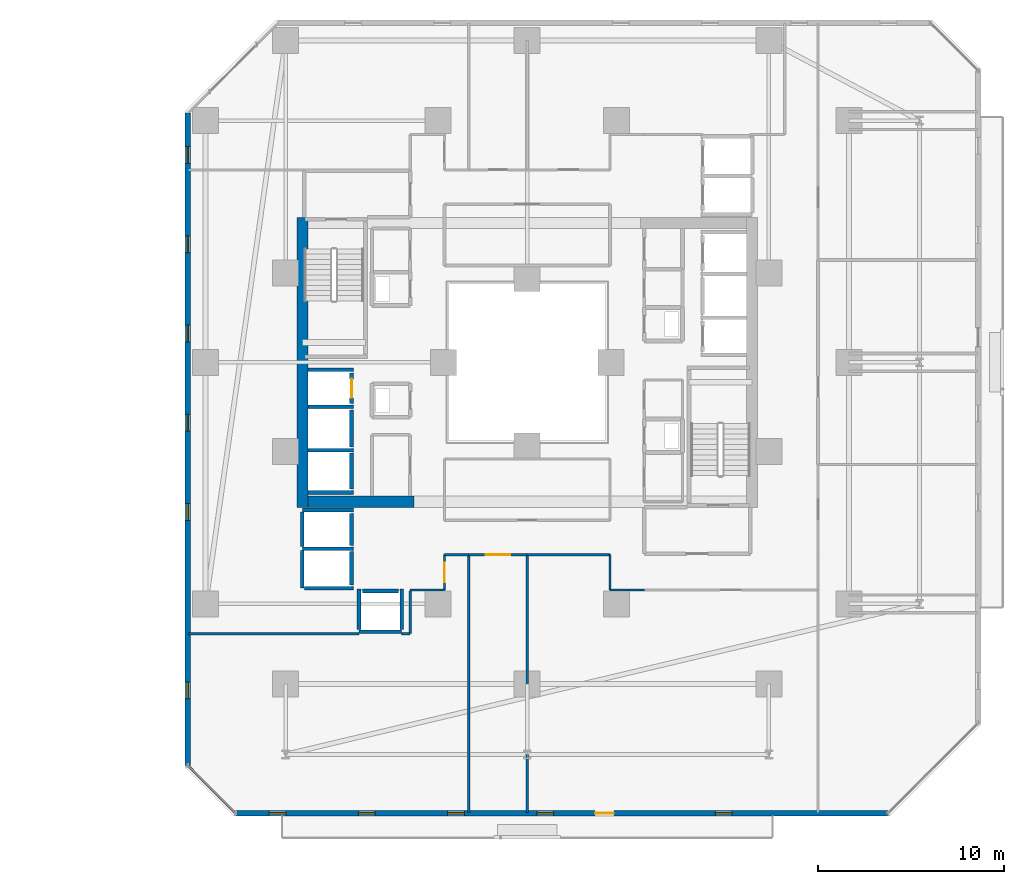
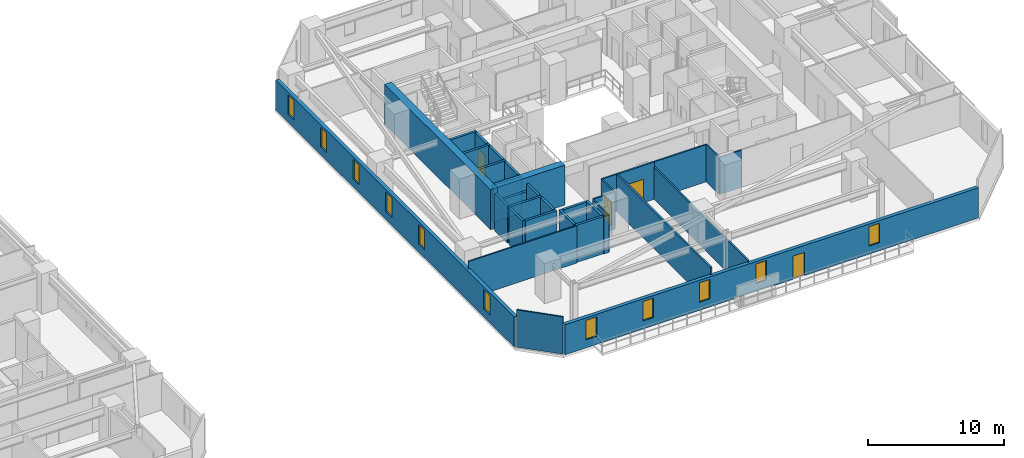
# One storey, part 22 of 33: 35 walls, 11 windows, 4 doors, 15 openings.
"""IFC4 building model written with IfcOpenShell, lengths in metres."""

from ifc_helpers import new_model, si_unit, direction, frame, frame_2d, origin, place, context, subcontext, project, spatial, rectangle, extrude, material, layer, layer_set, type_object, element, fill, save


model = new_model("IFC4")

# Units and contexts
model_context = context("Model", 3, precision=1e-05, world=origin(), true_north=direction((0.0, 1.0)))
body_context = subcontext(model_context, "Body", "Model", "MODEL_VIEW")
ifc_project = project(units=[si_unit("LENGTHUNIT", "METRE"), si_unit("AREAUNIT", "SQUARE_METRE"), si_unit("VOLUMEUNIT", "CUBIC_METRE"), si_unit("PLANEANGLEUNIT", "RADIAN"), si_unit("MASSUNIT", "GRAM", prefix="KILO")], contexts=[model_context])

# Site, building, storey
site_placement = place(None, origin())
site = spatial("IfcSite", under=ifc_project, at=site_placement, CompositionType="ELEMENT")
building_placement = place(site_placement, origin())
building = spatial("IfcBuilding", under=site, at=building_placement, Name="Thornwick Lancets Civic Towers", CompositionType="ELEMENT")
storey_placement = place(building_placement, frame((0.0, 0.0, 42.300048828125)))
storey = spatial("IfcBuildingStorey", under=building, at=storey_placement, Name="L10", CompositionType="ELEMENT", Elevation=42.300048828125)

# Wall, opening, door
ifc_material_1 = material(Name="Concrete blockwork C40/50", Category="masonry")
ifc_layer_1 = layer(ifc_material_1, 0.199951171875, Name="Concrete blockwork C40/50")
ifc_layer_set_1 = layer_set([ifc_layer_1], Name="Concrete blockwork C40/50")
wall_type_1 = type_object("IfcWallType", Name="WALL_COMP_200", PredefinedType="STANDARD", material=ifc_layer_set_1)
wall_1_placement = place(storey_placement, frame((79.050048828125, 24.780029296875, 0.0), z_axis=(0.0, 0.0, 1.0), x_axis=(0.0, 1.0, 0.0)))
wall_1 = element("IfcWall", 1, at=wall_1_placement, inside=storey, type_object=wall_type_1, Name="L10 Hoistway Front Wall FL-B2", PredefinedType="STANDARD", context=body_context, shape_type="SweptSolid", body=[
    extrude(rectangle(XDim=1.639892578125, YDim=0.199951171875, at=frame_2d((0.81982421875, 0.0))), origin(), (0.0, 0.0, 1.0), 3.33984375),
])
opening_1_placement = place(wall_1_placement, frame((0.31005859375, 0.0, 0.0)))
opening_1 = element("IfcOpeningElement", 2, at=opening_1_placement, cuts=wall_1, Name="Opening LD-FL-B2", PredefinedType="OPENING", context=body_context, shape_type="SweptSolid", body=[
    extrude(rectangle(XDim=1.02001953125, YDim=2.06005859375, at=frame_2d((0.510009765625, 1.030029296875))), frame((0.0, 0.10986328125, 0.0), z_axis=(0.0, -1.0, 0.0), x_axis=(1.0, 0.0, 0.0)), (0.0, 0.0, 1.0), 0.219970703125),
])
ifc_material_2 = material(Name="Brushed bronze stainless steel", Category="steel")
door_type_1 = type_object("IfcDoorType", Name="DOOR_LIFT_SLIDE", OperationType="SLIDING_TO_LEFT", PredefinedType="DOOR", material=ifc_material_2)
door_1_placement = place(opening_1_placement, origin())
door_1 = element("IfcDoor", 3, at=door_1_placement, inside=storey, type_object=door_type_1, Name="L10 Sliding Lift Landing Door LD-FL-B2", OperationType="SLIDING_TO_LEFT", OverallHeight=2.06005859375, OverallWidth=1.02001953125, PredefinedType="DOOR", context=body_context, shape_type="SweptSolid", body=[
    extrude(rectangle(XDim=1.02001953125, YDim=2.06005859375, at=frame_2d((0.510009765625, 1.030029296875))), frame((0.0, 0.02490234375, 0.0), z_axis=(0.0, -1.0, 0.0), x_axis=(1.0, 0.0, 0.0)), (0.0, 0.0, 1.0), 0.050048828125),
])
fill(opening_1, door_1)

# Walls
wall_2_placement = place(storey_placement, frame((79.050048828125, 22.429931640625, 0.0), z_axis=(0.0, 0.0, 1.0), x_axis=(0.0, 1.0, 0.0)))
element("IfcWall", 4, at=wall_2_placement, inside=storey, type_object=wall_type_1, Name="L10 Hoistway Front Wall PL-BH2", PredefinedType="STANDARD", context=body_context, shape_type="SweptSolid", body=[
    extrude(rectangle(XDim=1.989990234375, YDim=0.199951171875, at=frame_2d((0.9951171875, 0.0))), origin(), (0.0, 0.0, 1.0), 3.33984375),
])
wall_3_placement = place(storey_placement, frame((79.050048828125, 20.179931640625, 0.0), z_axis=(0.0, 0.0, 1.0), x_axis=(0.0, 1.0, 0.0)))
element("IfcWall", 5, at=wall_3_placement, inside=storey, type_object=wall_type_1, Name="L10 Hoistway Front Wall PL-BH3", PredefinedType="STANDARD", context=body_context, shape_type="SweptSolid", body=[
    extrude(rectangle(XDim=1.940185546875, YDim=0.199951171875, at=frame_2d((0.97021484375, 0.0))), origin(), (0.0, 0.0, 1.0), 3.33984375),
])
wall_4_placement = place(storey_placement, frame((79.050048828125, 17.1298828125, 0.0), z_axis=(0.0, 0.0, 1.0), x_axis=(0.0, 1.0, 0.0)))
element("IfcWall", 6, at=wall_4_placement, inside=storey, type_object=wall_type_1, Name="L10 Hoistway Front Wall PL-BM1", PredefinedType="STANDARD", context=body_context, shape_type="SweptSolid", body=[
    extrude(rectangle(XDim=1.740234375, YDim=0.199951171875, at=frame_2d((0.8701171875, 0.0))), origin(), (0.0, 0.0, 1.0), 3.33984375),
])
wall_5_placement = place(storey_placement, frame((79.050048828125, 15.030029296875, 0.0), z_axis=(0.0, 0.0, 1.0), x_axis=(0.0, 1.0, 0.0)))
element("IfcWall", 7, at=wall_5_placement, inside=storey, type_object=wall_type_1, Name="L10 Hoistway Front Wall PL-BM2", PredefinedType="STANDARD", context=body_context, shape_type="SweptSolid", body=[
    extrude(rectangle(XDim=1.7900390625, YDim=0.199951171875, at=frame_2d((0.89501953125, 0.0))), origin(), (0.0, 0.0, 1.0), 3.33984375),
])
wall_6_placement = place(storey_placement, frame((79.6298828125, 14.699951171875, 0.0), z_axis=(0.0, 0.0, 1.0), x_axis=(1.0, 0.0, 0.0)))
element("IfcWall", 8, at=wall_6_placement, inside=storey, type_object=wall_type_1, Name="L10 Hoistway Front Wall PL-BM3", PredefinedType="STANDARD", context=body_context, shape_type="SweptSolid", body=[
    extrude(rectangle(XDim=1.940185546875, YDim=0.199951171875, at=frame_2d((0.97021484375, 0.0))), origin(), (0.0, 0.0, 1.0), 3.33984375),
])
for number, where, z_axis, x_axis, name in (
    (9, (76.7119140625, 26.60009765625, 0.0), (0.0, 0.0, 1.0), (1.0, 0.0, 0.0), "L10 Hoistway Shaft Wall FL-B2 N"),
    (10, (76.7119140625, 24.60009765625, 0.0), (0.0, 0.0, 1.0), (1.0, 0.0, 0.0), "L10 Hoistway Shaft Wall FL-B2 S"),
    (11, (76.7119140625, 22.27490234375, 0.0), (0.0, 0.0, 1.0), (1.0, 0.0, 0.0), "L10 Hoistway Shaft Wall PL-BH2 S"),
    (12, (76.7119140625, 20.0, 0.0), (0.0, 0.0, 1.0), (1.0, 0.0, 0.0), "L10 Hoistway Shaft Wall PL-BH3 S"),
):
    element("IfcWall", number, at=place(storey_placement, frame(where, z_axis=z_axis, x_axis=x_axis)), inside=storey, type_object=wall_type_1, Name=name, PredefinedType="STANDARD", context=body_context, shape_type="SweptSolid", body=[
        extrude(rectangle(XDim=2.43603515625, YDim=0.199951171875, at=frame_2d((1.218017578125, 0.0))), origin(), (0.0, 0.0, 1.0), 3.33984375),
    ])
wall_7_placement = place(storey_placement, frame((76.402099609375, 19.050048828125, 0.0), z_axis=(0.0, 0.0, 1.0), x_axis=(1.0, 0.0, 0.0)))
element("IfcWall", 13, at=wall_7_placement, inside=storey, type_object=wall_type_1, Name="L10 Hoistway Shaft Wall PL-BM1 N", PredefinedType="STANDARD", context=body_context, shape_type="SweptSolid", body=[
    extrude(rectangle(XDim=2.745849609375, YDim=0.199951171875, at=frame_2d((1.373046875, 0.0))), origin(), (0.0, 0.0, 1.0), 2.544921875),
])
wall_8_placement = place(storey_placement, frame((76.402099609375, 16.97509765625, 0.0), z_axis=(0.0, 0.0, 1.0), x_axis=(1.0, 0.0, 0.0)))
element("IfcWall", 14, at=wall_8_placement, inside=storey, type_object=wall_type_1, Name="L10 Hoistway Shaft Wall PL-BM1 S", PredefinedType="STANDARD", context=body_context, shape_type="SweptSolid", body=[
    extrude(rectangle(XDim=2.745849609375, YDim=0.199951171875, at=frame_2d((1.373046875, 0.0))), origin(), (0.0, 0.0, 1.0), 3.33984375),
])
wall_9_placement = place(storey_placement, frame((76.39990234375, 14.85205078125, 0.0), z_axis=(0.0, 0.0, 1.0), x_axis=(0.0, 1.0, 0.0)))
element("IfcWall", 15, at=wall_9_placement, inside=storey, type_object=wall_type_1, Name="L10 Hoistway Shaft Wall PL-BM1 W", PredefinedType="STANDARD", context=body_context, shape_type="SweptSolid", body=[
    extrude(rectangle(XDim=2.015869140625, YDim=0.199951171875, at=frame_2d((1.0078125, 0.0))), origin(), (0.0, 0.0, 1.0), 3.33984375),
])
wall_10_placement = place(storey_placement, frame((76.39990234375, 17.08203125, 0.0), z_axis=(0.0, 0.0, 1.0), x_axis=(0.0, 1.0, 0.0)))
element("IfcWall", 16, at=wall_10_placement, inside=storey, type_object=wall_type_1, Name="L10 Hoistway Shaft Wall PL-BM1 W", PredefinedType="STANDARD", context=body_context, shape_type="SweptSolid", body=[
    extrude(rectangle(XDim=1.85595703125, YDim=0.199951171875, at=frame_2d((0.927978515625, 0.0))), origin(), (0.0, 0.0, 1.0), 3.33984375),
])
wall_11_placement = place(storey_placement, frame((76.511962890625, 14.85009765625, 0.0), z_axis=(0.0, 0.0, 1.0), x_axis=(1.0, 0.0, 0.0)))
element("IfcWall", 17, at=wall_11_placement, inside=storey, type_object=wall_type_1, Name="L10 Hoistway Shaft Wall PL-BM2 S", PredefinedType="STANDARD", context=body_context, shape_type="SweptSolid", body=[
    extrude(rectangle(XDim=2.635986328125, YDim=0.199951171875, at=frame_2d((1.31787109375, 0.0))), origin(), (0.0, 0.0, 1.0), 3.33984375),
])
wall_12_placement = place(storey_placement, frame((79.451904296875, 12.5, 0.0), z_axis=(0.0, 0.0, 1.0), x_axis=(1.0, 0.0, 0.0)))
element("IfcWall", 18, at=wall_12_placement, inside=storey, type_object=wall_type_1, Name="L10 Hoistway Shaft Wall PL-BM3 S", PredefinedType="STANDARD", context=body_context, shape_type="SweptSolid", body=[
    extrude(rectangle(XDim=2.296142578125, YDim=0.199951171875, at=frame_2d((1.14794921875, 0.0))), origin(), (0.0, 0.0, 1.0), 3.33984375),
])
for number, where, z_axis, x_axis, name in (
    (19, (81.75, 12.612060546875, 0.0), (0.0, 0.0, 1.0), (0.0, 1.0, 0.0), "L10 Hoistway Shaft Wall PL-BM3 E"),
    (20, (79.449951171875, 12.612060546875, 0.0), (0.0, 0.0, 1.0), (0.0, 1.0, 0.0), "L10 Hoistway Shaft Wall PL-BM3 W"),
):
    element("IfcWall", number, at=place(storey_placement, frame(where, z_axis=z_axis, x_axis=x_axis)), inside=storey, type_object=wall_type_1, Name=name, PredefinedType="STANDARD", context=body_context, shape_type="SweptSolid", body=[
        extrude(rectangle(XDim=2.18603515625, YDim=0.199951171875, at=frame_2d((1.093017578125, 0.0))), origin(), (0.0, 0.0, 1.0), 3.33984375),
    ])
ifc_material_3 = material(Name="Concrete C60/75", Category="concrete")
ifc_layer_2 = layer(ifc_material_3, 0.60009765625, Name="Concrete C60/75")
ifc_layer_set_2 = layer_set([ifc_layer_2], Name="Concrete C60/75")
wall_type_2 = type_object("IfcWallType", Name="WALL_CORE_600", PredefinedType="SHEAR", material=ifc_layer_set_2)
wall_13_placement = place(storey_placement, frame((76.39990234375, 19.199951171875, 0.0), z_axis=(0.0, 0.0, 1.0), x_axis=(0.0, 1.0, 0.0)))
element("IfcWall", 21, at=wall_13_placement, inside=storey, type_object=wall_type_2, Name="L10 Split Core B2 Shear Wall W", PredefinedType="SHEAR", context=body_context, shape_type="SweptSolid", body=[
    extrude(rectangle(XDim=15.60009765625, YDim=0.60009765625, at=frame_2d((7.800048828125, 0.0))), origin(), (0.0, 0.0, 1.0), 3.599853515625),
])
wall_14_placement = place(storey_placement, frame((76.699951171875, 19.5, 0.0), z_axis=(0.0, 0.0, 1.0), x_axis=(1.0, 0.0, 0.0)))
element("IfcWall", 22, at=wall_14_placement, inside=storey, type_object=wall_type_2, Name="L10 Split Core B2 Shear Wall S", PredefinedType="SHEAR", context=body_context, shape_type="SweptSolid", body=[
    extrude(rectangle(XDim=5.699951171875, YDim=0.60009765625, at=frame_2d((2.85009765625, 0.0))), origin(), (0.0, 0.0, 1.0), 3.599853515625),
])

# Wall, openings, door, windows
ifc_material_4 = material(Name="Insulated russet terracotta rainscreen on concrete C40/50", Category="masonry")
ifc_layer_3 = layer(ifc_material_4, 0.300048828125, Name="Insulated russet terracotta rainscreen on concrete C40/50")
ifc_layer_set_3 = layer_set([ifc_layer_3], Name="Insulated russet terracotta rainscreen on concrete C40/50")
wall_type_3 = type_object("IfcWallType", Name="WALL_EXT_RUSSET_300", PredefinedType="STANDARD", material=ifc_layer_set_3)
wall_15_placement = place(storey_placement, frame((72.81884765625, 2.735107421875, 0.0), z_axis=(0.0, 0.0, 1.0), x_axis=(0.999999978205, 0.000208784245, 0.0)))
wall_15 = element("IfcWall", 23, at=wall_15_placement, inside=storey, type_object=wall_type_3, Name="L10 Tower B Terracotta Facade Wall E0", PredefinedType="STANDARD", context=body_context, shape_type="SweptSolid", body=[
    extrude(rectangle(XDim=35.080322265625, YDim=0.300048828125, at=frame_2d((17.5400390625, 0.0))), origin(), (0.0, 0.0, 1.0), 2.699951171875),
])
opening_2_placement = place(wall_15_placement, frame((19.340087890625, 0.0, 0.0)))
opening_2 = element("IfcOpeningElement", 24, at=opening_2_placement, cuts=wall_15, Name="Opening D-BL-L10-BS", PredefinedType="OPENING", context=body_context, shape_type="SweptSolid", body=[
    extrude(rectangle(XDim=1.0, YDim=2.080078125, at=frame_2d((0.5, 1.0400390625))), frame((0.0, 0.16015625, 0.0), z_axis=(0.0, -1.0, 0.0), x_axis=(1.0, 0.0, 0.0)), (0.0, 0.0, 1.0), 0.320068359375),
])
opening_3_placement = place(wall_15_placement, frame((1.800048828125, 0.0, 0.719970703125)))
opening_3 = element("IfcOpeningElement", 25, at=opening_3_placement, cuts=wall_15, Name="Opening WL-01", PredefinedType="OPENING", context=body_context, shape_type="SweptSolid", body=[
    extrude(rectangle(XDim=0.89990234375, YDim=1.75, at=frame_2d((0.449951171875, 0.875))), frame((0.0, 0.16015625, 0.0), z_axis=(0.0, -1.0, 0.0), x_axis=(1.0, 0.0, 0.0)), (0.0, 0.0, 1.0), 0.320068359375),
])
opening_4_placement = place(wall_15_placement, frame((6.60009765625, 0.0, 0.719970703125)))
opening_4 = element("IfcOpeningElement", 26, at=opening_4_placement, cuts=wall_15, Name="Opening WL-01", PredefinedType="OPENING", context=body_context, shape_type="SweptSolid", body=[
    extrude(rectangle(XDim=0.89990234375, YDim=1.75, at=frame_2d((0.449951171875, 0.875))), frame((0.0, 0.16015625, 0.0), z_axis=(0.0, -1.0, 0.0), x_axis=(1.0, 0.0, 0.0)), (0.0, 0.0, 1.0), 0.320068359375),
])
opening_5_placement = place(wall_15_placement, frame((11.39990234375, 0.0, 0.719970703125)))
opening_5 = element("IfcOpeningElement", 27, at=opening_5_placement, cuts=wall_15, Name="Opening WL-01", PredefinedType="OPENING", context=body_context, shape_type="SweptSolid", body=[
    extrude(rectangle(XDim=0.89990234375, YDim=1.75, at=frame_2d((0.449951171875, 0.875))), frame((0.0, 0.16015625, 0.0), z_axis=(0.0, -1.0, 0.0), x_axis=(1.0, 0.0, 0.0)), (0.0, 0.0, 1.0), 0.320068359375),
])
opening_6_placement = place(wall_15_placement, frame((16.199951171875, 0.0, 0.719970703125)))
opening_6 = element("IfcOpeningElement", 28, at=opening_6_placement, cuts=wall_15, Name="Opening WL-01", PredefinedType="OPENING", context=body_context, shape_type="SweptSolid", body=[
    extrude(rectangle(XDim=0.89990234375, YDim=1.75, at=frame_2d((0.449951171875, 0.875))), frame((0.0, 0.16015625, 0.0), z_axis=(0.0, -1.0, 0.0), x_axis=(1.0, 0.0, 0.0)), (0.0, 0.0, 1.0), 0.320068359375),
])
opening_7_placement = place(wall_15_placement, frame((25.800048828125, 0.0, 0.719970703125)))
opening_7 = element("IfcOpeningElement", 29, at=opening_7_placement, cuts=wall_15, Name="Opening WL-01", PredefinedType="OPENING", context=body_context, shape_type="SweptSolid", body=[
    extrude(rectangle(XDim=0.89990234375, YDim=1.75, at=frame_2d((0.449951171875, 0.875))), frame((0.0, 0.16015625, 0.0), z_axis=(0.0, -1.0, 0.0), x_axis=(1.0, 0.0, 0.0)), (0.0, 0.0, 1.0), 0.320068359375),
])
ifc_material_5 = material(Name="Thermally broken glazed loggia doorset")
door_type_2 = type_object("IfcDoorType", Name="DOOR_BALC_1000", OperationType="NOTDEFINED", PredefinedType="DOOR", material=ifc_material_5)
door_2_placement = place(opening_2_placement, origin())
door_2 = element("IfcDoor", 30, at=door_2_placement, inside=storey, type_object=door_type_2, Name="L10 Tower B Loggia Balcony Door S", OperationType="SINGLE_SWING_LEFT", OverallHeight=2.080078125, OverallWidth=1.0, PredefinedType="DOOR", context=body_context, shape_type="SweptSolid", body=[
    extrude(rectangle(XDim=1.0, YDim=2.080078125, at=frame_2d((0.5, 1.0400390625))), frame((0.0, 0.02490234375, 0.0), z_axis=(0.0, -1.0, 0.0), x_axis=(1.0, 0.0, 0.0)), (0.0, 0.0, 1.0), 0.050048828125),
])
fill(opening_2, door_2)
ifc_material_6 = material(Name="Clear low-e double glazing in bronze frame", Category="glass")
window_type = type_object("IfcWindowType", Name="WIN_LANCET_900", PartitioningType="SINGLE_PANEL", PredefinedType="WINDOW", material=ifc_material_6)
window_1_placement = place(opening_3_placement, origin())
window_1 = element("IfcWindow", 31, at=window_1_placement, inside=storey, type_object=window_type, Name="L10 Tower B Staggered Lancet Window E0-1", OverallHeight=1.75, OverallWidth=0.89990234375, PartitioningType="SINGLE_PANEL", PredefinedType="WINDOW", context=body_context, shape_type="SweptSolid", body=[
    extrude(rectangle(XDim=0.89990234375, YDim=1.75, at=frame_2d((0.449951171875, 0.875))), frame((0.0, 0.030029296875, 0.0), z_axis=(0.0, -1.0, 0.0), x_axis=(1.0, 0.0, 0.0)), (0.0, 0.0, 1.0), 0.06005859375),
])
fill(opening_3, window_1)
window_2_placement = place(opening_4_placement, origin())
window_2 = element("IfcWindow", 32, at=window_2_placement, inside=storey, type_object=window_type, Name="L10 Tower B Staggered Lancet Window E0-2", OverallHeight=1.75, OverallWidth=0.89990234375, PartitioningType="SINGLE_PANEL", PredefinedType="WINDOW", context=body_context, shape_type="SweptSolid", body=[
    extrude(rectangle(XDim=0.89990234375, YDim=1.75, at=frame_2d((0.449951171875, 0.875))), frame((0.0, 0.030029296875, 0.0), z_axis=(0.0, -1.0, 0.0), x_axis=(1.0, 0.0, 0.0)), (0.0, 0.0, 1.0), 0.06005859375),
])
fill(opening_4, window_2)
window_3_placement = place(opening_5_placement, origin())
window_3 = element("IfcWindow", 33, at=window_3_placement, inside=storey, type_object=window_type, Name="L10 Tower B Staggered Lancet Window E0-3", OverallHeight=1.75, OverallWidth=0.89990234375, PartitioningType="SINGLE_PANEL", PredefinedType="WINDOW", context=body_context, shape_type="SweptSolid", body=[
    extrude(rectangle(XDim=0.89990234375, YDim=1.75, at=frame_2d((0.449951171875, 0.875))), frame((0.0, 0.030029296875, 0.0), z_axis=(0.0, -1.0, 0.0), x_axis=(1.0, 0.0, 0.0)), (0.0, 0.0, 1.0), 0.06005859375),
])
fill(opening_5, window_3)
window_4_placement = place(opening_6_placement, origin())
window_4 = element("IfcWindow", 34, at=window_4_placement, inside=storey, type_object=window_type, Name="L10 Tower B Staggered Lancet Window E0-4", OverallHeight=1.75, OverallWidth=0.89990234375, PartitioningType="SINGLE_PANEL", PredefinedType="WINDOW", context=body_context, shape_type="SweptSolid", body=[
    extrude(rectangle(XDim=0.89990234375, YDim=1.75, at=frame_2d((0.449951171875, 0.875))), frame((0.0, 0.030029296875, 0.0), z_axis=(0.0, -1.0, 0.0), x_axis=(1.0, 0.0, 0.0)), (0.0, 0.0, 1.0), 0.06005859375),
])
fill(opening_6, window_4)
window_5_placement = place(opening_7_placement, origin())
window_5 = element("IfcWindow", 35, at=window_5_placement, inside=storey, type_object=window_type, Name="L10 Tower B Staggered Lancet Window E0-5", OverallHeight=1.75, OverallWidth=0.89990234375, PartitioningType="SINGLE_PANEL", PredefinedType="WINDOW", context=body_context, shape_type="SweptSolid", body=[
    extrude(rectangle(XDim=0.89990234375, YDim=1.75, at=frame_2d((0.449951171875, 0.875))), frame((0.0, 0.030029296875, 0.0), z_axis=(0.0, -1.0, 0.0), x_axis=(1.0, 0.0, 0.0)), (0.0, 0.0, 1.0), 0.06005859375),
])
fill(opening_7, window_5)

# Wall, openings, windows
wall_16_placement = place(storey_placement, frame((70.242431640625, 40.399169921875, 0.0), z_axis=(0.0, 0.0, 1.0), x_axis=(-0.000208784245, -0.999999978205, 0.0)))
wall_16 = element("IfcWall", 36, at=wall_16_placement, inside=storey, type_object=wall_type_3, Name="L10 Tower B Terracotta Facade Wall E6", PredefinedType="STANDARD", context=body_context, shape_type="SweptSolid", body=[
    extrude(rectangle(XDim=35.080322265625, YDim=0.300048828125, at=frame_2d((17.5400390625, 0.0))), origin(), (0.0, 0.0, 1.0), 2.699951171875),
])
opening_8_placement = place(wall_16_placement, frame((1.800048828125, 0.0, 0.719970703125)))
opening_8 = element("IfcOpeningElement", 37, at=opening_8_placement, cuts=wall_16, Name="Opening WL-01", PredefinedType="OPENING", context=body_context, shape_type="SweptSolid", body=[
    extrude(rectangle(XDim=0.89990234375, YDim=1.75, at=frame_2d((0.449951171875, 0.875))), frame((0.0, 0.16015625, 0.0), z_axis=(0.0, -1.0, 0.0), x_axis=(1.0, 0.0, 0.0)), (0.0, 0.0, 1.0), 0.320068359375),
])
opening_9_placement = place(wall_16_placement, frame((6.60009765625, 0.0, 0.719970703125)))
opening_9 = element("IfcOpeningElement", 38, at=opening_9_placement, cuts=wall_16, Name="Opening WL-01", PredefinedType="OPENING", context=body_context, shape_type="SweptSolid", body=[
    extrude(rectangle(XDim=0.89990234375, YDim=1.75, at=frame_2d((0.449951171875, 0.875))), frame((0.0, 0.16015625, 0.0), z_axis=(0.0, -1.0, 0.0), x_axis=(1.0, 0.0, 0.0)), (0.0, 0.0, 1.0), 0.320068359375),
])
opening_10_placement = place(wall_16_placement, frame((11.39990234375, 0.0, 0.719970703125)))
opening_10 = element("IfcOpeningElement", 39, at=opening_10_placement, cuts=wall_16, Name="Opening WL-01", PredefinedType="OPENING", context=body_context, shape_type="SweptSolid", body=[
    extrude(rectangle(XDim=0.89990234375, YDim=1.75, at=frame_2d((0.449951171875, 0.875))), frame((0.0, 0.16015625, 0.0), z_axis=(0.0, -1.0, 0.0), x_axis=(1.0, 0.0, 0.0)), (0.0, 0.0, 1.0), 0.320068359375),
])
opening_11_placement = place(wall_16_placement, frame((16.199951171875, 0.0, 0.719970703125)))
opening_11 = element("IfcOpeningElement", 40, at=opening_11_placement, cuts=wall_16, Name="Opening WL-01", PredefinedType="OPENING", context=body_context, shape_type="SweptSolid", body=[
    extrude(rectangle(XDim=0.89990234375, YDim=1.75, at=frame_2d((0.449951171875, 0.875))), frame((0.0, 0.16015625, 0.0), z_axis=(0.0, -1.0, 0.0), x_axis=(1.0, 0.0, 0.0)), (0.0, 0.0, 1.0), 0.320068359375),
])
opening_12_placement = place(wall_16_placement, frame((21.0, 0.0, 0.719970703125)))
opening_12 = element("IfcOpeningElement", 41, at=opening_12_placement, cuts=wall_16, Name="Opening WL-01", PredefinedType="OPENING", context=body_context, shape_type="SweptSolid", body=[
    extrude(rectangle(XDim=0.89990234375, YDim=1.75, at=frame_2d((0.449951171875, 0.875))), frame((0.0, 0.16015625, 0.0), z_axis=(0.0, -1.0, 0.0), x_axis=(1.0, 0.0, 0.0)), (0.0, 0.0, 1.0), 0.320068359375),
])
opening_13_placement = place(wall_16_placement, frame((30.60009765625, 0.0, 0.719970703125)))
opening_13 = element("IfcOpeningElement", 42, at=opening_13_placement, cuts=wall_16, Name="Opening WL-01", PredefinedType="OPENING", context=body_context, shape_type="SweptSolid", body=[
    extrude(rectangle(XDim=0.89990234375, YDim=1.75, at=frame_2d((0.449951171875, 0.875))), frame((0.0, 0.16015625, 0.0), z_axis=(0.0, -1.0, 0.0), x_axis=(1.0, 0.0, 0.0)), (0.0, 0.0, 1.0), 0.320068359375),
])
window_6_placement = place(opening_8_placement, origin())
window_6 = element("IfcWindow", 43, at=window_6_placement, inside=storey, type_object=window_type, Name="L10 Tower B Staggered Lancet Window E6-1", OverallHeight=1.75, OverallWidth=0.89990234375, PartitioningType="SINGLE_PANEL", PredefinedType="WINDOW", context=body_context, shape_type="SweptSolid", body=[
    extrude(rectangle(XDim=0.89990234375, YDim=1.75, at=frame_2d((0.449951171875, 0.875))), frame((0.0, 0.030029296875, 0.0), z_axis=(0.0, -1.0, 0.0), x_axis=(1.0, 0.0, 0.0)), (0.0, 0.0, 1.0), 0.06005859375),
])
fill(opening_8, window_6)
window_7_placement = place(opening_9_placement, origin())
window_7 = element("IfcWindow", 44, at=window_7_placement, inside=storey, type_object=window_type, Name="L10 Tower B Staggered Lancet Window E6-2", OverallHeight=1.75, OverallWidth=0.89990234375, PartitioningType="SINGLE_PANEL", PredefinedType="WINDOW", context=body_context, shape_type="SweptSolid", body=[
    extrude(rectangle(XDim=0.89990234375, YDim=1.75, at=frame_2d((0.449951171875, 0.875))), frame((0.0, 0.030029296875, 0.0), z_axis=(0.0, -1.0, 0.0), x_axis=(1.0, 0.0, 0.0)), (0.0, 0.0, 1.0), 0.06005859375),
])
fill(opening_9, window_7)
window_8_placement = place(opening_10_placement, origin())
window_8 = element("IfcWindow", 45, at=window_8_placement, inside=storey, type_object=window_type, Name="L10 Tower B Staggered Lancet Window E6-3", OverallHeight=1.75, OverallWidth=0.89990234375, PartitioningType="SINGLE_PANEL", PredefinedType="WINDOW", context=body_context, shape_type="SweptSolid", body=[
    extrude(rectangle(XDim=0.89990234375, YDim=1.75, at=frame_2d((0.449951171875, 0.875))), frame((0.0, 0.030029296875, 0.0), z_axis=(0.0, -1.0, 0.0), x_axis=(1.0, 0.0, 0.0)), (0.0, 0.0, 1.0), 0.06005859375),
])
fill(opening_10, window_8)
window_9_placement = place(opening_11_placement, origin())
window_9 = element("IfcWindow", 46, at=window_9_placement, inside=storey, type_object=window_type, Name="L10 Tower B Staggered Lancet Window E6-4", OverallHeight=1.75, OverallWidth=0.89990234375, PartitioningType="SINGLE_PANEL", PredefinedType="WINDOW", context=body_context, shape_type="SweptSolid", body=[
    extrude(rectangle(XDim=0.89990234375, YDim=1.75, at=frame_2d((0.449951171875, 0.875))), frame((0.0, 0.030029296875, 0.0), z_axis=(0.0, -1.0, 0.0), x_axis=(1.0, 0.0, 0.0)), (0.0, 0.0, 1.0), 0.06005859375),
])
fill(opening_11, window_9)
window_10_placement = place(opening_12_placement, origin())
window_10 = element("IfcWindow", 47, at=window_10_placement, inside=storey, type_object=window_type, Name="L10 Tower B Staggered Lancet Window E6-5", OverallHeight=1.75, OverallWidth=0.89990234375, PartitioningType="SINGLE_PANEL", PredefinedType="WINDOW", context=body_context, shape_type="SweptSolid", body=[
    extrude(rectangle(XDim=0.89990234375, YDim=1.75, at=frame_2d((0.449951171875, 0.875))), frame((0.0, 0.030029296875, 0.0), z_axis=(0.0, -1.0, 0.0), x_axis=(1.0, 0.0, 0.0)), (0.0, 0.0, 1.0), 0.06005859375),
])
fill(opening_12, window_10)
window_11_placement = place(opening_13_placement, origin())
window_11 = element("IfcWindow", 48, at=window_11_placement, inside=storey, type_object=window_type, Name="L10 Tower B Staggered Lancet Window E6-6", OverallHeight=1.75, OverallWidth=0.89990234375, PartitioningType="SINGLE_PANEL", PredefinedType="WINDOW", context=body_context, shape_type="SweptSolid", body=[
    extrude(rectangle(XDim=0.89990234375, YDim=1.75, at=frame_2d((0.449951171875, 0.875))), frame((0.0, 0.030029296875, 0.0), z_axis=(0.0, -1.0, 0.0), x_axis=(1.0, 0.0, 0.0)), (0.0, 0.0, 1.0), 0.06005859375),
])
fill(opening_13, window_11)

# Walls
ifc_material_7 = material(Name="Acoustic gypsum board partition")
ifc_layer_4 = layer(ifc_material_7, 0.1201171875, Name="Acoustic gypsum board partition")
ifc_layer_set_4 = layer_set([ifc_layer_4], Name="Acoustic gypsum board partition")
wall_type_4 = type_object("IfcWallType", Name="WALL_PART_120", PredefinedType="PARTITIONING", material=ifc_layer_set_4)
wall_17_placement = place(storey_placement, frame((92.949951171875, 16.64990234375, 0.0), z_axis=(0.0, 0.0, 1.0), x_axis=(0.0, -1.0, 0.0)))
element("IfcWall", 49, at=wall_17_placement, inside=storey, type_object=wall_type_4, Name="L10 Partition L10-B-W1 E1", PredefinedType="PARTITIONING", context=body_context, shape_type="SweptSolid", body=[
    extrude(rectangle(XDim=1.89990234375, YDim=0.1201171875, at=frame_2d((0.949951171875, 0.0))), origin(), (0.0, 0.0, 1.0), 3.33984375),
])
wall_18_placement = place(storey_placement, frame((92.949951171875, 14.75, 0.0), z_axis=(0.0, 0.0, 1.0), x_axis=(1.0, 0.0, 0.0)))
element("IfcWall", 50, at=wall_18_placement, inside=storey, type_object=wall_type_4, Name="L10 Partition L10-B-W1 E2", PredefinedType="PARTITIONING", context=body_context, shape_type="SweptSolid", body=[
    extrude(rectangle(XDim=1.85009765625, YDim=0.1201171875, at=frame_2d((0.925048828125, 0.0))), origin(), (0.0, 0.0, 1.0), 3.33984375),
])
wall_19_placement = place(storey_placement, frame((88.5, 2.780029296875, 0.0), z_axis=(0.0, 0.0, 1.0), x_axis=(0.0, 1.0, 0.0)))
element("IfcWall", 51, at=wall_19_placement, inside=storey, type_object=wall_type_4, Name="L10 Partition L10-B-W1 E6", PredefinedType="PARTITIONING", context=body_context, shape_type="SweptSolid", body=[
    extrude(rectangle(XDim=13.869873046875, YDim=0.1201171875, at=frame_2d((6.93505859375, 0.0))), origin(), (0.0, 0.0, 1.0), 2.881591796875),
])
wall_20_placement = place(storey_placement, frame((88.5, 16.64990234375, 0.0), z_axis=(0.0, 0.0, 1.0), x_axis=(1.0, 0.0, 0.0)))
element("IfcWall", 52, at=wall_20_placement, inside=storey, type_object=wall_type_4, Name="L10 Partition L10-B-W1 E7", PredefinedType="PARTITIONING", context=body_context, shape_type="SweptSolid", body=[
    extrude(rectangle(XDim=4.449951171875, YDim=0.1201171875, at=frame_2d((2.22509765625, 0.0))), origin(), (0.0, 0.0, 1.0), 3.33984375),
])
wall_21_placement = place(storey_placement, frame((82.199951171875, 14.75, 0.0), z_axis=(0.0, 0.0, 1.0), x_axis=(1.0, 0.0, 0.0)))
element("IfcWall", 53, at=wall_21_placement, inside=storey, type_object=wall_type_4, Name="L10 Partition L10-B-W3 E2", PredefinedType="PARTITIONING", context=body_context, shape_type="SweptSolid", body=[
    extrude(rectangle(XDim=1.85009765625, YDim=0.1201171875, at=frame_2d((0.925048828125, 0.0))), origin(), (0.0, 0.0, 1.0), 3.33984375),
])

# Wall, opening, door
wall_22_placement = place(storey_placement, frame((84.050048828125, 14.75, 0.0), z_axis=(0.0, 0.0, 1.0), x_axis=(0.0, 1.0, 0.0)))
wall_22 = element("IfcWall", 54, at=wall_22_placement, inside=storey, type_object=wall_type_4, Name="L10 Partition L10-B-W3 E3", PredefinedType="PARTITIONING", context=body_context, shape_type="SweptSolid", body=[
    extrude(rectangle(XDim=1.89990234375, YDim=0.1201171875, at=frame_2d((0.949951171875, 0.0))), origin(), (0.0, 0.0, 1.0), 3.33984375),
])
opening_14_placement = place(wall_22_placement, frame((0.425048828125, 0.0, 0.0)))
opening_14 = element("IfcOpeningElement", 55, at=opening_14_placement, cuts=wall_22, Name="Opening D-L10-0524", PredefinedType="OPENING", context=body_context, shape_type="SweptSolid", body=[
    extrude(rectangle(XDim=1.050048828125, YDim=2.10009765625, at=frame_2d((0.52490234375, 1.050048828125))), frame((0.0, 0.070068359375, 0.0), z_axis=(0.0, -1.0, 0.0), x_axis=(1.0, 0.0, 0.0)), (0.0, 0.0, 1.0), 0.14013671875),
])
ifc_material_8 = material(Name="Glazed European oak executive doorset")
door_type_3 = type_object("IfcDoorType", Name="DOOR_OFFICE_1050", OperationType="NOTDEFINED", PredefinedType="DOOR", material=ifc_material_8)
door_3_placement = place(opening_14_placement, origin())
door_3 = element("IfcDoor", 56, at=door_3_placement, inside=storey, type_object=door_type_3, Name="L10 Tower B Staff Tea Pantry and Lounge Door", OperationType="SINGLE_SWING_LEFT", OverallHeight=2.10009765625, OverallWidth=1.050048828125, PredefinedType="DOOR", context=body_context, shape_type="SweptSolid", body=[
    extrude(rectangle(XDim=1.050048828125, YDim=2.10009765625, at=frame_2d((0.52490234375, 1.050048828125))), frame((0.0, 0.02490234375, 0.0), z_axis=(0.0, -1.0, 0.0), x_axis=(1.0, 0.0, 0.0)), (0.0, 0.0, 1.0), 0.050048828125),
])
fill(opening_14, door_3)

# Walls
wall_23_placement = place(storey_placement, frame((84.050048828125, 16.64990234375, 0.0), z_axis=(0.0, 0.0, 1.0), x_axis=(1.0, 0.0, 0.0)))
element("IfcWall", 57, at=wall_23_placement, inside=storey, type_object=wall_type_4, Name="L10 Partition L10-B-W3 E4", PredefinedType="PARTITIONING", context=body_context, shape_type="SweptSolid", body=[
    extrude(rectangle(XDim=1.300048828125, YDim=0.1201171875, at=frame_2d((0.64990234375, 0.0))), origin(), (0.0, 0.0, 1.0), 3.33984375),
])
wall_24_placement = place(storey_placement, frame((72.774658203125, 2.780029296875, 0.0), z_axis=(0.0, 0.0, 1.0), x_axis=(-0.707106781187, 0.707106781187, 0.0)))
element("IfcWall", 58, at=wall_24_placement, inside=storey, type_object=wall_type_4, Name="L10 Partition L10-B-W3 E7", PredefinedType="PARTITIONING", context=body_context, shape_type="SweptSolid", body=[
    extrude(rectangle(XDim=3.52783203125, YDim=0.1201171875, at=frame_2d((1.763916015625, 0.0))), origin(), (0.0, 0.0, 1.0), 3.33984375),
])
wall_25_placement = place(storey_placement, frame((70.280029296875, 12.39990234375, 0.0), z_axis=(0.0, 0.0, 1.0), x_axis=(1.0, 0.0, 0.0)))
element("IfcWall", 59, at=wall_25_placement, inside=storey, type_object=wall_type_4, Name="L10 Partition L10-B-W3 E9", PredefinedType="PARTITIONING", context=body_context, shape_type="SweptSolid", body=[
    extrude(rectangle(XDim=9.171875, YDim=0.1201171875, at=frame_2d((4.5859375, 0.0))), origin(), (0.0, 0.0, 1.0), 3.33984375),
])
wall_26_placement = place(storey_placement, frame((81.748046875, 12.39990234375, 0.0), z_axis=(0.0, 0.0, 1.0), x_axis=(1.0, 0.0, 0.0)))
element("IfcWall", 60, at=wall_26_placement, inside=storey, type_object=wall_type_4, Name="L10 Partition L10-B-W3 E9", PredefinedType="PARTITIONING", context=body_context, shape_type="SweptSolid", body=[
    extrude(rectangle(XDim=0.451904296875, YDim=0.1201171875, at=frame_2d((0.22607421875, 0.0))), origin(), (0.0, 0.0, 1.0), 3.33984375),
])
wall_27_placement = place(storey_placement, frame((82.199951171875, 12.39990234375, 0.0), z_axis=(0.0, 0.0, 1.0), x_axis=(0.0, 1.0, 0.0)))
element("IfcWall", 61, at=wall_27_placement, inside=storey, type_object=wall_type_4, Name="L10 Partition L10-B-W3 E10", PredefinedType="PARTITIONING", context=body_context, shape_type="SweptSolid", body=[
    extrude(rectangle(XDim=2.300048828125, YDim=0.1201171875, at=frame_2d((1.14990234375, 0.0))), origin(), (0.0, 0.0, 1.0), 3.33984375),
])
ifc_material_9 = material(Name="Twin-stud acoustic gypsum board")
ifc_layer_5 = layer(ifc_material_9, 0.14990234375, Name="Twin-stud acoustic gypsum board")
ifc_layer_set_5 = layer_set([ifc_layer_5], Name="Twin-stud acoustic gypsum board")
wall_type_5 = type_object("IfcWallType", Name="WALL_PART_150", PredefinedType="PARTITIONING", material=ifc_layer_set_5)
wall_28_placement = place(storey_placement, frame((85.35009765625, 2.780029296875, 0.0), z_axis=(0.0, 0.0, 1.0), x_axis=(0.0, 1.0, 0.0)))
element("IfcWall", 62, at=wall_28_placement, inside=storey, type_object=wall_type_5, Name="L10 Partition L10-B-W2 E3", PredefinedType="PARTITIONING", context=body_context, shape_type="SweptSolid", body=[
    extrude(rectangle(XDim=13.869873046875, YDim=0.14990234375, at=frame_2d((6.93505859375, 0.0))), origin(), (0.0, 0.0, 1.0), 3.33984375),
])

# Wall, opening, door
wall_29_placement = place(storey_placement, frame((85.35009765625, 16.64990234375, 0.0), z_axis=(0.0, 0.0, 1.0), x_axis=(1.0, 0.0, 0.0)))
wall_29 = element("IfcWall", 63, at=wall_29_placement, inside=storey, type_object=wall_type_5, Name="L10 Partition L10-B-W2 E4", PredefinedType="PARTITIONING", context=body_context, shape_type="SweptSolid", body=[
    extrude(rectangle(XDim=3.14990234375, YDim=0.14990234375, at=frame_2d((1.574951171875, 0.0))), origin(), (0.0, 0.0, 1.0), 3.33984375),
])
opening_15_placement = place(wall_29_placement, frame((0.925048828125, 0.0, 0.0)))
opening_15 = element("IfcOpeningElement", 64, at=opening_15_placement, cuts=wall_29, Name="Opening D-L10-0523", PredefinedType="OPENING", context=body_context, shape_type="SweptSolid", body=[
    extrude(rectangle(XDim=1.300048828125, YDim=2.1201171875, at=frame_2d((0.64990234375, 1.06005859375))), frame((0.0, 0.0849609375, 0.0), z_axis=(0.0, -1.0, 0.0), x_axis=(1.0, 0.0, 0.0)), (0.0, 0.0, 1.0), 0.169921875),
])
ifc_material_10 = material(Name="Acoustic oak leaf-and-a-half doorset")
door_type_4 = type_object("IfcDoorType", Name="DOOR_MEET_1300", OperationType="DOUBLE_DOOR_SINGLE_SWING", PredefinedType="DOOR", material=ifc_material_10)
door_4_placement = place(opening_15_placement, origin())
door_4 = element("IfcDoor", 65, at=door_4_placement, inside=storey, type_object=door_type_4, Name="L10 Tower B Policy Briefing Room W2 Door", OperationType="DOUBLE_DOOR_SINGLE_SWING", OverallHeight=2.1201171875, OverallWidth=1.300048828125, PredefinedType="DOOR", context=body_context, shape_type="SweptSolid", body=[
    extrude(rectangle(XDim=1.300048828125, YDim=2.1201171875, at=frame_2d((0.64990234375, 1.06005859375))), frame((0.0, 0.02490234375, 0.0), z_axis=(0.0, -1.0, 0.0), x_axis=(1.0, 0.0, 0.0)), (0.0, 0.0, 1.0), 0.050048828125),
])
fill(opening_15, door_4)

save(model, "model.ifc")
